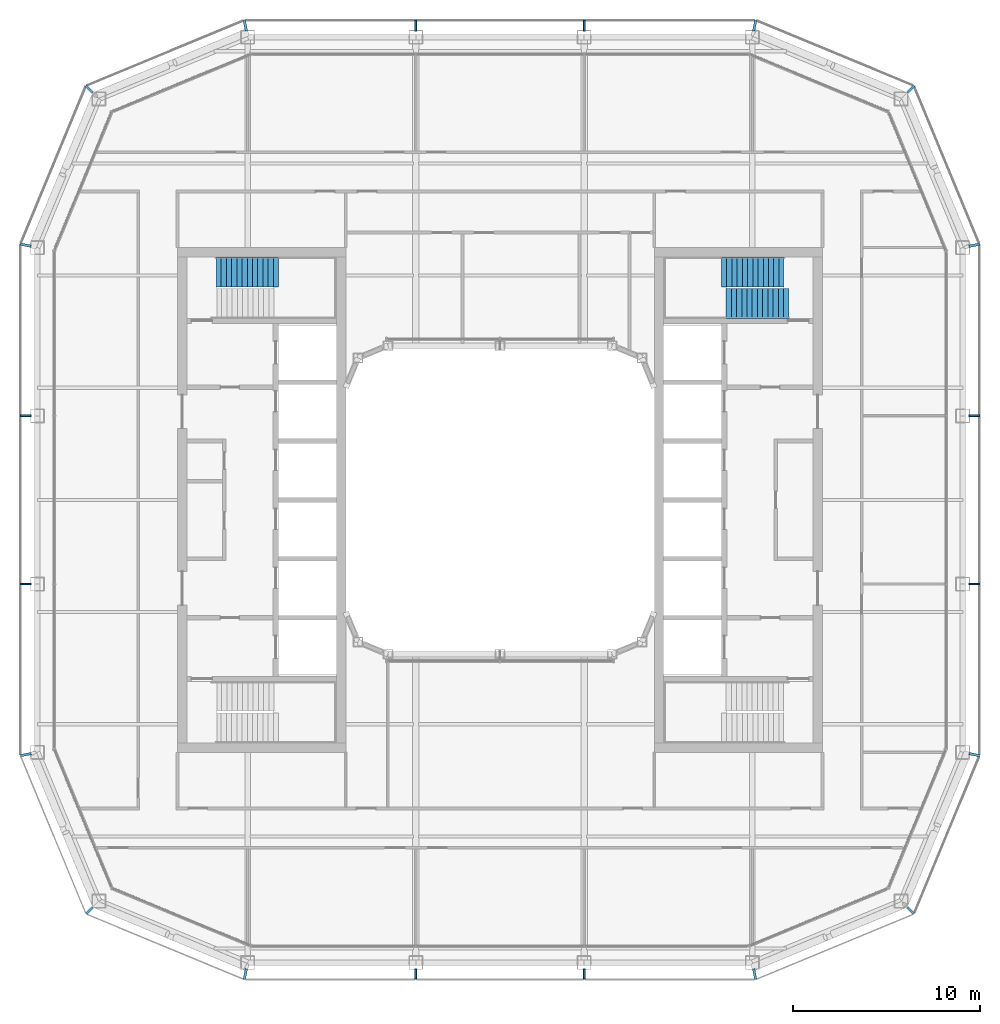
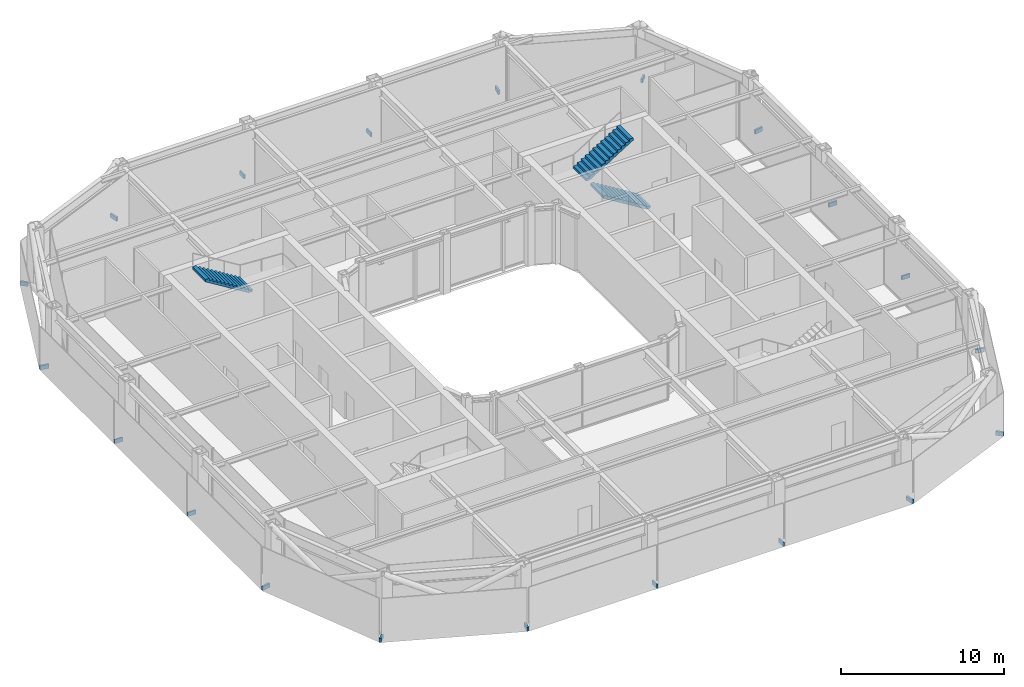
# One storey, part 13 of 17: 20 discrete accessories, 3 stair flights, 2 elements without a shape of their own.
"""IFC4 building model written with IfcOpenShell, lengths in metres."""

from ifc_helpers import new_model, si_unit, direction, frame, origin, origin_2d, place, context, subcontext, project, spatial, polyline, rectangle, outline, extrude, material, type_object, element, aggregate, save


model = new_model("IFC4")

# Units and contexts
model_context = context("Model", 3, precision=1e-05, world=origin(), true_north=direction((0.0, 1.0)))
body_context = subcontext(model_context, "Body", "Model", "MODEL_VIEW")
ifc_project = project(units=[si_unit("LENGTHUNIT", "METRE"), si_unit("AREAUNIT", "SQUARE_METRE"), si_unit("VOLUMEUNIT", "CUBIC_METRE"), si_unit("PLANEANGLEUNIT", "RADIAN"), si_unit("MASSUNIT", "GRAM", prefix="KILO")], contexts=[model_context])

# Site, building, storey
site_placement = place(None, origin())
site = spatial("IfcSite", under=ifc_project, at=site_placement, CompositionType="ELEMENT")
building_placement = place(site_placement, origin())
building = spatial("IfcBuilding", under=site, at=building_placement, Name="Siwar Civic Tower", CompositionType="ELEMENT")
storey_placement = place(building_placement, frame((0.0, 0.0, 289.699951171875)))
storey = spatial("IfcBuildingStorey", under=building, at=storey_placement, Name="L62", CompositionType="ELEMENT", Elevation=289.699951171875)

# Stair, stair flight
ifc_material_1 = material(Name="Concrete C40/50", Category="concrete")
stair_type = type_object("IfcStairType", Name="CORE-STAIR", PredefinedType="TWO_STRAIGHT_RUN_STAIR", material=ifc_material_1)
stair_1_placement = place(storey_placement, origin())
stair_1 = element("IfcStair", 1, at=stair_1_placement, inside=storey, type_object=stair_type, Name="Exit stair ST1", PredefinedType="TWO_STRAIGHT_RUN_STAIR")
ifc_material_2 = material(Name="Concrete C40/50", Category="concrete")
stair_flight_type = type_object("IfcStairFlightType", Name="CORE-STAIR-FLIGHT", PredefinedType="STRAIGHT", material=ifc_material_2)
stair_flight_1_placement = place(storey_placement, frame((-11.840087890625, 12.199951171875, 2.25), z_axis=(0.0, 0.0, 1.0), x_axis=(-1.0, 0.0, 0.0)))
stair_flight_1 = element("IfcStairFlight", 2, at=stair_flight_1_placement, type_object=stair_flight_type, Name="ST1 flight 2", NumberOfRisers=13, NumberOfTreads=12, PredefinedType="STRAIGHT", RiserHeight=0.173076923, TreadLength=0.28, context=body_context, shape_type="SweptSolid", body=[
    extrude(outline(polyline([(0.0, 0.0), (0.0, 0.173095703125), (0.280029296875, 0.173095703125), (0.280029296875, 0.34619140625), (0.56005859375, 0.34619140625), (0.56005859375, 0.519287109375), (0.840087890625, 0.519287109375), (0.840087890625, 0.6923828125), (1.1201171875, 0.6923828125), (1.1201171875, 0.865478515625), (1.39990234375, 0.865478515625), (1.39990234375, 1.03857421875), (1.679931640625, 1.03857421875), (1.679931640625, 1.21142578125), (1.9599609375, 1.21142578125), (1.9599609375, 1.384521484375), (2.239990234375, 1.384521484375), (2.239990234375, 1.5576171875), (2.52001953125, 1.5576171875), (2.52001953125, 1.730712890625), (2.800048828125, 1.730712890625), (2.800048828125, 1.90380859375), (3.080078125, 1.90380859375), (3.080078125, 2.076904296875), (3.360107421875, 2.076904296875), (3.360107421875, 2.25), (3.360107421875, 1.900634765625), (0.28515625, 0.0), (0.0, 0.0)])), frame((0.0, 0.800048828125, 0.0), z_axis=(0.0, -1.0, 0.0), x_axis=(1.0, 0.0, 0.0)), (0.0, 0.0, 1.0), 1.60009765625),
])
aggregate(stair_1, [stair_flight_1])

# Stair, stair flights
stair_2_placement = place(storey_placement, origin())
stair_2 = element("IfcStair", 3, at=stair_2_placement, inside=storey, type_object=stair_type, Name="Exit stair ST3", PredefinedType="TWO_STRAIGHT_RUN_STAIR")
stair_flight_2_placement = place(storey_placement, frame((15.449951171875, 10.5, 0.0), z_axis=(0.0, 0.0, 1.0), x_axis=(-1.0, 0.0, 0.0)))
stair_flight_2 = element("IfcStairFlight", 4, at=stair_flight_2_placement, type_object=stair_flight_type, Name="ST3 flight 1", NumberOfRisers=13, NumberOfTreads=12, PredefinedType="STRAIGHT", RiserHeight=0.173076923, TreadLength=0.28, context=body_context, shape_type="SweptSolid", body=[
    extrude(outline(polyline([(0.0, 0.0), (0.0, 0.173095703125), (0.280029296875, 0.173095703125), (0.280029296875, 0.34619140625), (0.56005859375, 0.34619140625), (0.56005859375, 0.519287109375), (0.840087890625, 0.519287109375), (0.840087890625, 0.6923828125), (1.1201171875, 0.6923828125), (1.1201171875, 0.865478515625), (1.39990234375, 0.865478515625), (1.39990234375, 1.03857421875), (1.679931640625, 1.03857421875), (1.679931640625, 1.21142578125), (1.9599609375, 1.21142578125), (1.9599609375, 1.384521484375), (2.239990234375, 1.384521484375), (2.239990234375, 1.5576171875), (2.52001953125, 1.5576171875), (2.52001953125, 1.730712890625), (2.800048828125, 1.730712890625), (2.800048828125, 1.90380859375), (3.080078125, 1.90380859375), (3.080078125, 2.076904296875), (3.360107421875, 2.076904296875), (3.360107421875, 2.25), (3.360107421875, 1.900634765625), (0.28515625, 0.0), (0.0, 0.0)])), frame((0.0, 0.800048828125, 0.0), z_axis=(0.0, -1.0, 0.0), x_axis=(1.0, 0.0, 0.0)), (0.0, 0.0, 1.0), 1.60009765625),
])
stair_flight_3_placement = place(storey_placement, frame((11.840087890625, 12.199951171875, 2.25), z_axis=(0.0, 0.0, 1.0), x_axis=(1.0, 0.0, 0.0)))
stair_flight_3 = element("IfcStairFlight", 5, at=stair_flight_3_placement, type_object=stair_flight_type, Name="ST3 flight 2", NumberOfRisers=13, NumberOfTreads=12, PredefinedType="STRAIGHT", RiserHeight=0.173076923, TreadLength=0.28, context=body_context, shape_type="SweptSolid", body=[
    extrude(outline(polyline([(0.0, 0.0), (0.0, 0.173095703125), (0.280029296875, 0.173095703125), (0.280029296875, 0.34619140625), (0.56005859375, 0.34619140625), (0.56005859375, 0.519287109375), (0.840087890625, 0.519287109375), (0.840087890625, 0.6923828125), (1.1201171875, 0.6923828125), (1.1201171875, 0.865478515625), (1.39990234375, 0.865478515625), (1.39990234375, 1.03857421875), (1.679931640625, 1.03857421875), (1.679931640625, 1.21142578125), (1.9599609375, 1.21142578125), (1.9599609375, 1.384521484375), (2.239990234375, 1.384521484375), (2.239990234375, 1.5576171875), (2.52001953125, 1.5576171875), (2.52001953125, 1.730712890625), (2.800048828125, 1.730712890625), (2.800048828125, 1.90380859375), (3.080078125, 1.90380859375), (3.080078125, 2.076904296875), (3.360107421875, 2.076904296875), (3.360107421875, 2.25), (3.360107421875, 1.900634765625), (0.28515625, 0.0), (0.0, 0.0)])), frame((0.0, 0.800048828125, 0.0), z_axis=(0.0, -1.0, 0.0), x_axis=(1.0, 0.0, 0.0)), (0.0, 0.0, 1.0), 1.60009765625),
])
aggregate(stair_2, [stair_flight_2, stair_flight_3])

# Discrete accessories
ifc_material_3 = material(Name="Stainless steel 316", Category="steel")
discrete_accessory_type = type_object("IfcDiscreteAccessoryType", Name="ENV-BRACKET", PredefinedType="BRACKET", material=ifc_material_3)
for number, where, z_axis, x_axis, name in (
    (6, (25.364990234375, -4.5, -0.14990234375), (0.0, 0.0, 1.0), (1.0, 0.0, 0.0), "Bracket outer skin joint E-01"),
    (7, (25.364990234375, 4.5, -0.14990234375), (0.0, 0.0, 1.0), (1.0, 0.0, 0.0), "Bracket outer skin joint E-02"),
    (8, (4.5, 25.364990234375, -0.14990234375), (0.0, 0.0, 1.0), (0.0, 1.0, 0.0), "Bracket outer skin joint N-01"),
    (9, (-4.5, 25.364990234375, -0.14990234375), (0.0, 0.0, 1.0), (0.0, 1.0, 0.0), "Bracket outer skin joint N-02"),
    (10, (-4.5, -25.364990234375, -0.14990234375), (0.0, 0.0, 1.0), (0.0, -1.0, 0.0), "Bracket outer skin joint S-01"),
    (11, (4.5, -25.364990234375, -0.14990234375), (0.0, 0.0, 1.0), (0.0, -1.0, 0.0), "Bracket outer skin joint S-02"),
):
    element("IfcDiscreteAccessory", number, at=place(storey_placement, frame(where, z_axis=z_axis, x_axis=x_axis)), inside=storey, type_object=discrete_accessory_type, Name=name, PredefinedType="BRACKET", context=body_context, shape_type="SweptSolid", body=[
        extrude(rectangle(XDim=0.570068359375, YDim=0.10009765625, at=origin_2d()), origin(), (0.0, 0.0, 1.0), 0.300048828125),
    ])
for number, where, z_axis, x_axis, name in (
    (12, (-13.622314453125, -25.365234375, -0.14990234375), (0.0, 0.0, 1.0), (-0.195090322016, -0.980785280403, 0.0), "Bracket outer skin joint V00"),
    (13, (13.622314453125, -25.365234375, -0.14990234375), (0.0, 0.0, 1.0), (0.195090322016, -0.980785280403, 0.0), "Bracket outer skin joint V01"),
):
    element("IfcDiscreteAccessory", number, at=place(storey_placement, frame(where, z_axis=z_axis, x_axis=x_axis)), inside=storey, type_object=discrete_accessory_type, Name=name, PredefinedType="BRACKET", context=body_context, shape_type="SweptSolid", body=[
        extrude(rectangle(XDim=0.580810546875, YDim=0.13720703125, at=origin_2d()), origin(), (0.0, 0.0, 1.0), 0.300048828125),
    ])
discrete_accessory_1_placement = place(storey_placement, frame((21.96728515625, -21.96728515625, -0.14990234375), z_axis=(0.0, 0.0, 1.0), x_axis=(0.707106781187, -0.707106781187, 0.0)))
element("IfcDiscreteAccessory", 14, at=discrete_accessory_1_placement, inside=storey, type_object=discrete_accessory_type, Name="Bracket outer skin joint V02", PredefinedType="BRACKET", context=body_context, shape_type="SweptSolid", body=[
    extrude(rectangle(XDim=0.499267578125, YDim=0.12939453125, at=origin_2d()), origin(), (0.0, 0.0, 1.0), 0.300048828125),
])
for number, where, z_axis, x_axis, name in (
    (15, (25.365234375, -13.622314453125, -0.14990234375), (0.0, 0.0, 1.0), (0.980785280403, -0.195090322016, 0.0), "Bracket outer skin joint V03"),
    (16, (25.365234375, 13.622314453125, -0.14990234375), (0.0, 0.0, 1.0), (0.980785280403, 0.195090322016, 0.0), "Bracket outer skin joint V04"),
):
    element("IfcDiscreteAccessory", number, at=place(storey_placement, frame(where, z_axis=z_axis, x_axis=x_axis)), inside=storey, type_object=discrete_accessory_type, Name=name, PredefinedType="BRACKET", context=body_context, shape_type="SweptSolid", body=[
        extrude(rectangle(XDim=0.580810546875, YDim=0.13720703125, at=origin_2d()), origin(), (0.0, 0.0, 1.0), 0.300048828125),
    ])
discrete_accessory_2_placement = place(storey_placement, frame((21.96728515625, 21.96728515625, -0.14990234375), z_axis=(0.0, 0.0, 1.0), x_axis=(0.707106781187, 0.707106781187, 0.0)))
element("IfcDiscreteAccessory", 17, at=discrete_accessory_2_placement, inside=storey, type_object=discrete_accessory_type, Name="Bracket outer skin joint V05", PredefinedType="BRACKET", context=body_context, shape_type="SweptSolid", body=[
    extrude(rectangle(XDim=0.499267578125, YDim=0.12939453125, at=origin_2d()), origin(), (0.0, 0.0, 1.0), 0.300048828125),
])
for number, where, z_axis, x_axis, name in (
    (18, (13.622314453125, 25.365234375, -0.14990234375), (0.0, 0.0, 1.0), (0.195090322016, 0.980785280403, 0.0), "Bracket outer skin joint V06"),
    (19, (-13.622314453125, 25.365234375, -0.14990234375), (0.0, 0.0, 1.0), (-0.195090322016, 0.980785280403, 0.0), "Bracket outer skin joint V07"),
):
    element("IfcDiscreteAccessory", number, at=place(storey_placement, frame(where, z_axis=z_axis, x_axis=x_axis)), inside=storey, type_object=discrete_accessory_type, Name=name, PredefinedType="BRACKET", context=body_context, shape_type="SweptSolid", body=[
        extrude(rectangle(XDim=0.580810546875, YDim=0.13720703125, at=origin_2d()), origin(), (0.0, 0.0, 1.0), 0.300048828125),
    ])
discrete_accessory_3_placement = place(storey_placement, frame((-21.96728515625, 21.96728515625, -0.14990234375), z_axis=(0.0, 0.0, 1.0), x_axis=(-0.707106781187, 0.707106781187, 0.0)))
element("IfcDiscreteAccessory", 20, at=discrete_accessory_3_placement, inside=storey, type_object=discrete_accessory_type, Name="Bracket outer skin joint V08", PredefinedType="BRACKET", context=body_context, shape_type="SweptSolid", body=[
    extrude(rectangle(XDim=0.499267578125, YDim=0.12939453125, at=origin_2d()), origin(), (0.0, 0.0, 1.0), 0.300048828125),
])
for number, where, z_axis, x_axis, name in (
    (21, (-25.365234375, 13.622314453125, -0.14990234375), (0.0, 0.0, 1.0), (-0.980785280403, 0.195090322016, 0.0), "Bracket outer skin joint V09"),
    (22, (-25.365234375, -13.622314453125, -0.14990234375), (0.0, 0.0, 1.0), (-0.980785280403, -0.195090322016, 0.0), "Bracket outer skin joint V10"),
):
    element("IfcDiscreteAccessory", number, at=place(storey_placement, frame(where, z_axis=z_axis, x_axis=x_axis)), inside=storey, type_object=discrete_accessory_type, Name=name, PredefinedType="BRACKET", context=body_context, shape_type="SweptSolid", body=[
        extrude(rectangle(XDim=0.580810546875, YDim=0.13720703125, at=origin_2d()), origin(), (0.0, 0.0, 1.0), 0.300048828125),
    ])
discrete_accessory_4_placement = place(storey_placement, frame((-21.96728515625, -21.96728515625, -0.14990234375), z_axis=(0.0, 0.0, 1.0), x_axis=(-0.707106781187, -0.707106781187, 0.0)))
element("IfcDiscreteAccessory", 23, at=discrete_accessory_4_placement, inside=storey, type_object=discrete_accessory_type, Name="Bracket outer skin joint V11", PredefinedType="BRACKET", context=body_context, shape_type="SweptSolid", body=[
    extrude(rectangle(XDim=0.499267578125, YDim=0.12939453125, at=origin_2d()), origin(), (0.0, 0.0, 1.0), 0.300048828125),
])
for number, where, z_axis, x_axis, name in (
    (24, (-25.364990234375, 4.5, -0.14990234375), (0.0, 0.0, 1.0), (-1.0, 0.0, 0.0), "Bracket outer skin joint W-01"),
    (25, (-25.364990234375, -4.5, -0.14990234375), (0.0, 0.0, 1.0), (-1.0, 0.0, 0.0), "Bracket outer skin joint W-02"),
):
    element("IfcDiscreteAccessory", number, at=place(storey_placement, frame(where, z_axis=z_axis, x_axis=x_axis)), inside=storey, type_object=discrete_accessory_type, Name=name, PredefinedType="BRACKET", context=body_context, shape_type="SweptSolid", body=[
        extrude(rectangle(XDim=0.570068359375, YDim=0.10009765625, at=origin_2d()), origin(), (0.0, 0.0, 1.0), 0.300048828125),
    ])

save(model, "model.ifc")
